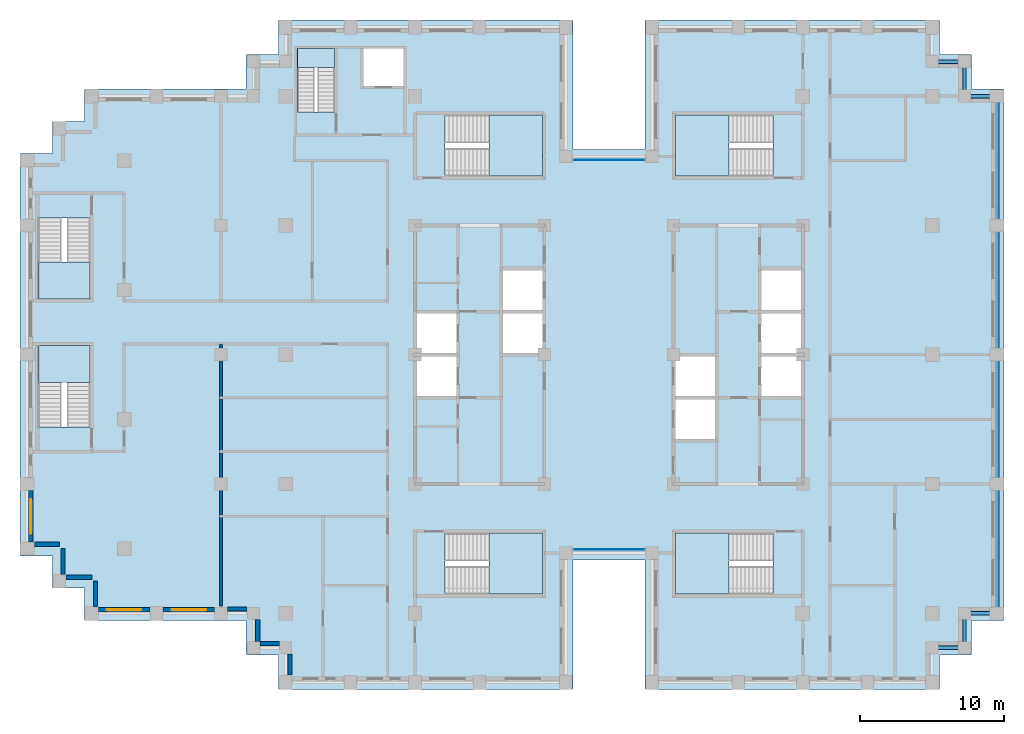
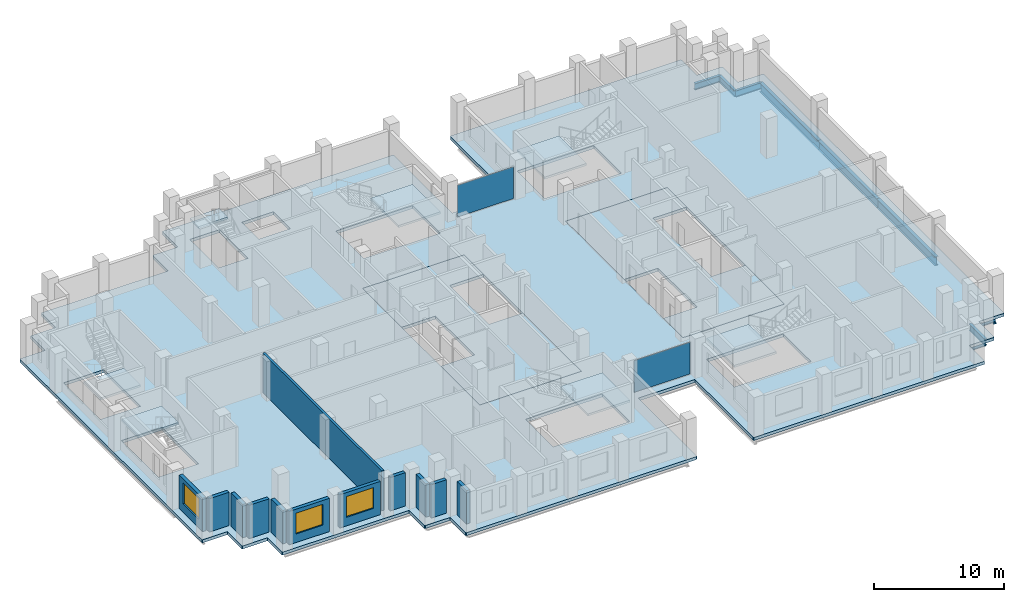
# One storey, part 5 of 15: 12 walls, 10 beams, 10 slabs, 3 windows, 2 plates, 3 openings, 9 elements without a shape of their own.
"""IFC4 building model written with IfcOpenShell, lengths in metres."""

from ifc_helpers import new_model, si_unit, direction, frame, frame_2d, origin, origin_2d, place, context, subcontext, project, spatial, polyline, rectangle, i_section, outline, extrude, material, layer, layer_set, material_profile, profile_set, type_object, element, fill, aggregate, save


model = new_model("IFC4")

# Units and contexts
model_context = context("Model", 3, precision=1e-05, world=origin(), true_north=direction((0.0, 1.0)))
body_context = subcontext(model_context, "Body", "Model", "MODEL_VIEW")
ifc_project = project(units=[si_unit("LENGTHUNIT", "METRE"), si_unit("AREAUNIT", "SQUARE_METRE"), si_unit("VOLUMEUNIT", "CUBIC_METRE"), si_unit("PLANEANGLEUNIT", "RADIAN"), si_unit("MASSUNIT", "GRAM", prefix="KILO")], contexts=[model_context])

# Site, building, storey
site_placement = place(None, origin())
site = spatial("IfcSite", under=ifc_project, at=site_placement, CompositionType="ELEMENT")
building_placement = place(site_placement, origin())
building = spatial("IfcBuilding", under=site, at=building_placement, Name="Corbelhall Arena Tower", CompositionType="ELEMENT")
storey_placement = place(building_placement, frame((0.0, 0.0, 208.0)))
storey = spatial("IfcBuildingStorey", under=building, at=storey_placement, Name="L43", CompositionType="ELEMENT", Elevation=208.0)

# Beams
ifc_material_1 = material(Name="Steel ASTM A992 Gr50", Category="steel")
ifc_material_profile_1 = material_profile(ifc_material_1, i_section(OverallWidth=0.228271484375, OverallDepth=0.607177734375, WebThickness=0.01123046875, FlangeThickness=0.017333984375, at=origin_2d()))
ifc_profile_set_1 = profile_set([ifc_material_profile_1], Name="Steel ASTM A992 Gr50")
beam_type_1 = type_object("IfcBeamType", Name="ST-SPANDREL-W24x76", PredefinedType="SPANDREL", material=ifc_profile_set_1)
for number, where, z_axis, x_axis, name in (
    (1, (27.0, -18.0, -0.58349609375), (-1.0, 0.0, 0.0), (0.0, -1.0, 0.0), "Beam SP 12"),
    (2, (22.5, 20.39990234375, -0.58349609375), (1.0, 0.0, 0.0), (0.0, 1.0, 0.0), "Beam SP 39"),
):
    element("IfcBeam", number, at=place(storey_placement, frame(where, z_axis=z_axis, x_axis=x_axis)), inside=storey, type_object=beam_type_1, Name=name, PredefinedType="SPANDREL", context=body_context, shape_type="SweptSolid", body=[
        extrude(i_section(OverallWidth=0.228271484375, OverallDepth=0.607177734375, WebThickness=0.01123046875, FlangeThickness=0.017333984375, at=origin_2d()), origin(), (0.0, 0.0, 1.0), 2.25),
    ])
beam_1_placement = place(storey_placement, frame((24.75, 20.39990234375, -0.58349609375), z_axis=(0.0, -1.0, 0.0), x_axis=(1.0, 0.0, 0.0)))
element("IfcBeam", 3, at=beam_1_placement, inside=storey, type_object=beam_type_1, Name="Beam SP 40", PredefinedType="SPANDREL", context=body_context, shape_type="SweptSolid", body=[
    extrude(i_section(OverallWidth=0.228271484375, OverallDepth=0.607177734375, WebThickness=0.01123046875, FlangeThickness=0.017333984375, at=origin_2d()), origin(), (0.0, 0.0, 1.0), 2.39990234375),
])
for number, where, z_axis, x_axis, name in (
    (4, (24.75, 18.0, -0.58349609375), (1.0, 0.0, 0.0), (0.0, 1.0, 0.0), "Beam SP 41"),
    (5, (24.75, -20.39990234375, -0.58349609375), (-1.0, 0.0, 0.0), (0.0, -1.0, 0.0), "Beam SP 46"),
):
    element("IfcBeam", number, at=place(storey_placement, frame(where, z_axis=z_axis, x_axis=x_axis)), inside=storey, type_object=beam_type_1, Name=name, PredefinedType="SPANDREL", context=body_context, shape_type="SweptSolid", body=[
        extrude(i_section(OverallWidth=0.228271484375, OverallDepth=0.607177734375, WebThickness=0.01123046875, FlangeThickness=0.017333984375, at=origin_2d()), origin(), (0.0, 0.0, 1.0), 2.25),
    ])
beam_2_placement = place(storey_placement, frame((24.75, -18.0, -0.58349609375), z_axis=(0.0, -1.0, 0.0), x_axis=(1.0, 0.0, 0.0)))
element("IfcBeam", 6, at=beam_2_placement, inside=storey, type_object=beam_type_1, Name="Beam SP 47", PredefinedType="SPANDREL", context=body_context, shape_type="SweptSolid", body=[
    extrude(i_section(OverallWidth=0.228271484375, OverallDepth=0.607177734375, WebThickness=0.01123046875, FlangeThickness=0.017333984375, at=origin_2d()), origin(), (0.0, 0.0, 1.0), 2.39990234375),
])
ifc_material_profile_2 = material_profile(ifc_material_1, i_section(OverallWidth=0.2919921875, OverallDepth=0.845703125, WebThickness=0.015380859375, FlangeThickness=0.0244140625, at=origin_2d()))
ifc_profile_set_2 = profile_set([ifc_material_profile_2], Name="Steel ASTM A992 Gr50")
beam_type_2 = type_object("IfcBeamType", Name="ST-SPANDREL-W33x141", PredefinedType="SPANDREL", material=ifc_profile_set_2)
for number, where, z_axis, x_axis, name in (
    (7, (27.0, 0.0, -0.702880859375), (0.0, -1.0, 0.0), (1.0, 0.0, 0.0), "Beam SP 8"),
    (8, (27.0, 9.0, -0.702880859375), (0.0, -1.0, 0.0), (1.0, 0.0, 0.0), "Beam SP 9"),
    (9, (27.0, 18.0, -0.702880859375), (0.0, -1.0, 0.0), (1.0, 0.0, 0.0), "Beam SP 10"),
    (10, (27.0, -9.0, -0.702880859375), (0.0, -1.0, 0.0), (1.0, 0.0, 0.0), "Beam SP 11"),
):
    element("IfcBeam", number, at=place(storey_placement, frame(where, z_axis=z_axis, x_axis=x_axis)), inside=storey, type_object=beam_type_2, Name=name, PredefinedType="SPANDREL", context=body_context, shape_type="SweptSolid", body=[
        extrude(i_section(OverallWidth=0.2919921875, OverallDepth=0.845703125, WebThickness=0.015380859375, FlangeThickness=0.0244140625, at=origin_2d()), origin(), (0.0, 0.0, 1.0), 9.0),
    ])

# Curtain wall, plate
ifc_material_2 = material(Name="Aluminium black anodised", Category="aluminium")
ifc_layer_1 = layer(ifc_material_2, 0.199951171875)
ifc_layer_set_1 = layer_set([ifc_layer_1], Name="EV-CW1 Slot back wall")
curtain_wall_type = type_object("IfcCurtainWallType", Name="EV-CW1 Slot back wall", PredefinedType="NOTDEFINED", material=ifc_layer_set_1)
curtain_wall_1_placement = place(storey_placement, origin())
curtain_wall_1 = element("IfcCurtainWall", 11, at=curtain_wall_1_placement, inside=storey, type_object=curtain_wall_type, Name="Curtain wall CW1", PredefinedType="NOTDEFINED")
ifc_material_3 = material(Name="Glass dark tinted laminated", Category="glass")
ifc_layer_2 = layer(ifc_material_3, 0.028076171875)
ifc_layer_set_2 = layer_set([ifc_layer_2], Name="EV-CW1-PANEL")
plate_type = type_object("IfcPlateType", Name="EV-CW1-PANEL", PredefinedType="CURTAIN_PANEL", material=ifc_layer_set_2)
plate_1_placement = place(storey_placement, frame((0.0, -13.550048828125, 0.0751953125), z_axis=(0.0, 0.0, 1.0), x_axis=(1.0, 0.0, 0.0)))
plate_1 = element("IfcPlate", 12, at=plate_1_placement, type_object=plate_type, Name="CW1 panel 1.1", PredefinedType="CURTAIN_PANEL", context=body_context, shape_type="SweptSolid", body=[
    extrude(rectangle(XDim=4.949951171875, YDim=0.028076171875, at=origin_2d()), origin(), (0.0, 0.0, 1.0), 2.969970703125),
])
aggregate(curtain_wall_1, [plate_1])

curtain_wall_2_placement = place(storey_placement, origin())
curtain_wall_2 = element("IfcCurtainWall", 13, at=curtain_wall_2_placement, inside=storey, type_object=curtain_wall_type, Name="Curtain wall CW1", PredefinedType="NOTDEFINED")
plate_2_placement = place(storey_placement, frame((0.0, 13.550048828125, 0.0751953125), z_axis=(0.0, 0.0, 1.0), x_axis=(-1.0, 0.0, 0.0)))
plate_2 = element("IfcPlate", 14, at=plate_2_placement, type_object=plate_type, Name="CW1 panel 1.1", PredefinedType="CURTAIN_PANEL", context=body_context, shape_type="SweptSolid", body=[
    extrude(rectangle(XDim=4.949951171875, YDim=0.028076171875, at=origin_2d()), origin(), (0.0, 0.0, 1.0), 2.969970703125),
])
aggregate(curtain_wall_2, [plate_2])

# Slabs
ifc_material_4 = material(Name="Concrete C40/50", Category="concrete")
ifc_layer_3 = layer(ifc_material_4, 0.300048828125)
ifc_layer_set_3 = layer_set([ifc_layer_3], Name="IN-SL-CORE")
slab_type_1 = type_object("IfcSlabType", Name="IN-SL-CORE", PredefinedType="FLOOR", material=ifc_layer_set_3)
slab_1_placement = place(storey_placement, frame((0.0, 0.0, -0.280029296875)))
element("IfcSlab", 15, at=slab_1_placement, inside=storey, type_object=slab_type_1, Name="Core floor W", PredefinedType="FLOOR", context=body_context, shape_type="SweptSolid", body=[
    extrude(outline(polyline([(-10.5, -3.0), (-13.5, -3.0), (-13.5, -9.0), (-4.5, -9.0), (-4.5, 0.0), (-7.5, 0.0), (-7.5, 3.0), (-7.5, 6.0), (-4.5, 6.0), (-4.5, 9.0), (-13.5, 9.0), (-13.5, 3.0), (-10.5, 3.0), (-10.5, 0.0), (-10.5, -3.0)])), origin(), (0.0, 0.0, 1.0), 0.280029296875),
])
slab_2_placement = place(storey_placement, frame((0.0, 0.0, -0.280029296875)))
element("IfcSlab", 16, at=slab_2_placement, inside=storey, type_object=slab_type_1, Name="Core floor E", PredefinedType="FLOOR", context=body_context, shape_type="SweptSolid", body=[
    extrude(outline(polyline([(13.5, -3.0), (10.5, -3.0), (10.5, 0.0), (10.5, 3.0), (10.5, 6.0), (13.5, 6.0), (13.5, 9.0), (4.5, 9.0), (4.5, 0.0), (7.5, 0.0), (7.5, -3.0), (7.5, -6.0), (4.5, -6.0), (4.5, -9.0), (13.5, -9.0), (13.5, -3.0)])), origin(), (0.0, 0.0, 1.0), 0.280029296875),
])

# Stair, slab
stair_type = type_object("IfcStairType", Name="IN-ST-TOWER", PredefinedType="HALF_TURN_STAIR", material=ifc_material_4)
stair_1_placement = place(storey_placement, origin())
stair_1 = element("IfcStair", 17, at=stair_1_placement, inside=storey, type_object=stair_type, Name="L43 Exit stair ST1", PredefinedType="HALF_TURN_STAIR")
ifc_layer_4 = layer(ifc_material_4, 0.199951171875)
ifc_layer_set_4 = layer_set([ifc_layer_4], Name="IN-SL-LANDING")
slab_type_2 = type_object("IfcSlabType", Name="IN-SL-LANDING", PredefinedType="LANDING", material=ifc_layer_set_4)
slab_3_placement = place(storey_placement, frame((0.0, 0.0, 1.800048828125)))
slab_3 = element("IfcSlab", 18, at=slab_3_placement, type_object=slab_type_2, Name="ST1 landing 1", PredefinedType="LANDING", context=body_context, shape_type="SweptSolid", body=[
    extrude(outline(polyline([(-8.344970703125, 12.425048828125), (-4.625, 12.425048828125), (-4.625, 16.675048828125), (-8.344970703125, 16.675048828125), (-8.344970703125, 12.425048828125)])), origin(), (0.0, 0.0, 1.0), 0.199951171875),
])
aggregate(stair_1, [slab_3])

stair_2_placement = place(storey_placement, origin())
stair_2 = element("IfcStair", 19, at=stair_2_placement, inside=storey, type_object=stair_type, Name="L43 Exit stair ST2", PredefinedType="HALF_TURN_STAIR")
slab_4_placement = place(storey_placement, frame((0.0, 0.0, 1.800048828125)))
slab_4 = element("IfcSlab", 20, at=slab_4_placement, type_object=slab_type_2, Name="ST2 landing 1", PredefinedType="LANDING", context=body_context, shape_type="SweptSolid", body=[
    extrude(outline(polyline([(-8.344970703125, -16.675048828125), (-4.625, -16.675048828125), (-4.625, -12.425048828125), (-8.344970703125, -12.425048828125), (-8.344970703125, -16.675048828125)])), origin(), (0.0, 0.0, 1.0), 0.199951171875),
])
aggregate(stair_2, [slab_4])

stair_3_placement = place(storey_placement, origin())
stair_3 = element("IfcStair", 21, at=stair_3_placement, inside=storey, type_object=stair_type, Name="L43 Exit stair ST3", PredefinedType="HALF_TURN_STAIR")
slab_5_placement = place(storey_placement, frame((0.0, 0.0, 1.800048828125)))
slab_5 = element("IfcSlab", 22, at=slab_5_placement, type_object=slab_type_2, Name="ST3 landing 1", PredefinedType="LANDING", context=body_context, shape_type="SweptSolid", body=[
    extrude(outline(polyline([(8.344970703125, 16.675048828125), (4.625, 16.675048828125), (4.625, 12.425048828125), (8.344970703125, 12.425048828125), (8.344970703125, 16.675048828125)])), origin(), (0.0, 0.0, 1.0), 0.199951171875),
])
aggregate(stair_3, [slab_5])

stair_4_placement = place(storey_placement, origin())
stair_4 = element("IfcStair", 23, at=stair_4_placement, inside=storey, type_object=stair_type, Name="L43 Exit stair ST4", PredefinedType="HALF_TURN_STAIR")
slab_6_placement = place(storey_placement, frame((0.0, 0.0, 1.800048828125)))
slab_6 = element("IfcSlab", 24, at=slab_6_placement, type_object=slab_type_2, Name="ST4 landing 1", PredefinedType="LANDING", context=body_context, shape_type="SweptSolid", body=[
    extrude(outline(polyline([(8.344970703125, -12.425048828125), (4.625, -12.425048828125), (4.625, -16.675048828125), (8.344970703125, -16.675048828125), (8.344970703125, -12.425048828125)])), origin(), (0.0, 0.0, 1.0), 0.199951171875),
])
aggregate(stair_4, [slab_6])

stair_5_placement = place(storey_placement, origin())
stair_5 = element("IfcStair", 25, at=stair_5_placement, inside=storey, type_object=stair_type, Name="L43 Exit stair SC1", PredefinedType="HALF_TURN_STAIR")
slab_7_placement = place(storey_placement, frame((0.0, 0.0, 1.800048828125)))
slab_7 = element("IfcSlab", 26, at=slab_7_placement, type_object=slab_type_2, Name="SC1 landing 1", PredefinedType="LANDING", context=body_context, shape_type="SweptSolid", body=[
    extrude(outline(polyline([(-39.699951171875, 6.445068359375), (-39.699951171875, 3.875), (-36.125, 3.875), (-36.125, 6.445068359375), (-39.699951171875, 6.445068359375)])), origin(), (0.0, 0.0, 1.0), 0.199951171875),
])
aggregate(stair_5, [slab_7])

stair_6_placement = place(storey_placement, origin())
stair_6 = element("IfcStair", 27, at=stair_6_placement, inside=storey, type_object=stair_type, Name="L43 Exit stair SC2", PredefinedType="HALF_TURN_STAIR")
slab_8_placement = place(storey_placement, frame((0.0, 0.0, 1.800048828125)))
slab_8 = element("IfcSlab", 28, at=slab_8_placement, type_object=slab_type_2, Name="SC2 landing 1", PredefinedType="LANDING", context=body_context, shape_type="SweptSolid", body=[
    extrude(outline(polyline([(-36.125, -1.945068359375), (-36.125, 0.625), (-39.699951171875, 0.625), (-39.699951171875, -1.945068359375), (-36.125, -1.945068359375)])), origin(), (0.0, 0.0, 1.0), 0.199951171875),
])
aggregate(stair_6, [slab_8])

stair_7_placement = place(storey_placement, origin())
stair_7 = element("IfcStair", 29, at=stair_7_placement, inside=storey, type_object=stair_type, Name="L43 Exit stair ST5", PredefinedType="HALF_TURN_STAIR")
slab_9_placement = place(storey_placement, frame((0.0, 0.0, 1.800048828125)))
slab_9 = element("IfcSlab", 30, at=slab_9_placement, type_object=slab_type_2, Name="ST5 landing 1", PredefinedType="LANDING", context=body_context, shape_type="SweptSolid", body=[
    extrude(outline(polyline([(-19.094970703125, 19.97998046875), (-19.094970703125, 21.300048828125), (-21.695068359375, 21.300048828125), (-21.695068359375, 19.97998046875), (-19.094970703125, 19.97998046875)])), origin(), (0.0, 0.0, 1.0), 0.199951171875),
])
aggregate(stair_7, [slab_9])

# Slab
ifc_layer_5 = layer(ifc_material_4, 0.280029296875)
ifc_layer_set_5 = layer_set([ifc_layer_5], Name="ST-SLAB-FLOOR-280")
slab_type_3 = type_object("IfcSlabType", Name="ST-SLAB-FLOOR-280", PredefinedType="FLOOR", material=ifc_layer_set_5)
slab_10_placement = place(storey_placement, frame((0.0, 0.0, -0.280029296875)))
element("IfcSlab", 31, at=slab_10_placement, inside=storey, type_object=slab_type_3, Name="Floor slab L43 1", PredefinedType="FLOOR", context=body_context, shape_type="SweptSolid", body=[
    extrude(outline(polyline([(23.0, 23.25), (22.949951171875, 23.300048828125), (2.550048828125, 23.300048828125), (2.5, 23.25), (2.5, 14.300048828125), (-2.5, 14.300048828125), (-2.5, 23.25), (-2.550048828125, 23.300048828125), (-22.949951171875, 23.300048828125), (-23.0, 23.25), (-23.0, 20.89990234375), (-25.199951171875, 20.89990234375), (-25.25, 20.85009765625), (-25.25, 18.5), (-36.449951171875, 18.5), (-36.5, 18.449951171875), (-36.5, 16.25), (-38.699951171875, 16.25), (-38.75, 16.199951171875), (-38.75, 14.0), (-40.949951171875, 14.0), (-41.0, 13.949951171875), (-41.0, -13.949951171875), (-40.949951171875, -14.0), (-38.75, -14.0), (-38.75, -16.199951171875), (-38.699951171875, -16.25), (-36.5, -16.25), (-36.5, -18.449951171875), (-36.449951171875, -18.5), (-25.25, -18.5), (-25.25, -20.85009765625), (-25.199951171875, -20.89990234375), (-23.0, -20.89990234375), (-23.0, -23.25), (-22.949951171875, -23.300048828125), (-2.550048828125, -23.300048828125), (-2.5, -23.25), (-2.5, -14.300048828125), (2.5, -14.300048828125), (2.5, -23.25), (2.550048828125, -23.300048828125), (22.949951171875, -23.300048828125), (23.0, -23.25), (23.0, -20.89990234375), (25.199951171875, -20.89990234375), (25.25, -20.85009765625), (25.25, -18.5), (27.449951171875, -18.5), (27.5, -18.449951171875), (27.5, 18.449951171875), (27.449951171875, 18.5), (25.25, 18.5), (25.25, 20.85009765625), (25.199951171875, 20.89990234375), (23.0, 20.89990234375), (23.0, 23.25)]), holes=[polyline([(-4.5, -9.0), (-4.5, 9.0), (-13.5, 9.0), (-13.5, -9.0), (-4.5, -9.0)]), polyline([(13.5, -9.0), (13.5, 9.0), (4.5, 9.0), (4.5, -9.0), (13.5, -9.0)]), polyline([(-11.422119140625, 12.425048828125), (-4.625, 12.425048828125), (-4.625, 16.675048828125), (-11.422119140625, 16.675048828125), (-11.422119140625, 12.425048828125)]), polyline([(-11.422119140625, -12.425048828125), (-11.422119140625, -16.675048828125), (-4.625, -16.675048828125), (-4.625, -12.425048828125), (-11.422119140625, -12.425048828125)]), polyline([(4.625, 12.425048828125), (11.422119140625, 12.425048828125), (11.422119140625, 16.675048828125), (4.625, 16.675048828125), (4.625, 12.425048828125)]), polyline([(4.625, -12.425048828125), (4.625, -16.675048828125), (11.422119140625, -16.675048828125), (11.422119140625, -12.425048828125), (4.625, -12.425048828125)]), polyline([(-39.699951171875, 9.52197265625), (-39.699951171875, 3.875), (-36.125, 3.875), (-36.125, 9.52197265625), (-39.699951171875, 9.52197265625)]), polyline([(-39.699951171875, -5.02197265625), (-36.125, -5.02197265625), (-36.125, 0.625), (-39.699951171875, 0.625), (-39.699951171875, -5.02197265625)]), polyline([(-21.695068359375, 21.300048828125), (-21.695068359375, 16.903076171875), (-19.094970703125, 16.903076171875), (-19.094970703125, 21.300048828125), (-21.695068359375, 21.300048828125)]), polyline([(-14.300048828125, 21.300048828125), (-17.10009765625, 21.300048828125), (-17.10009765625, 18.699951171875), (-14.300048828125, 18.699951171875), (-14.300048828125, 21.300048828125)])]), origin(), (0.0, 0.0, 1.0), 0.280029296875),
])

# Walls
ifc_material_5 = material(Name="Precast concrete C40/50 with granite facing", Category="masonry")
ifc_layer_6 = layer(ifc_material_5, 0.300048828125)
ifc_layer_set_6 = layer_set([ifc_layer_6], Name="EV-IW1 Infill panel 300")
wall_type_1 = type_object("IfcWallType", Name="EV-IW1 Infill panel 300", PredefinedType="SOLIDWALL", material=ifc_layer_set_6)
wall_1_placement = place(storey_placement, frame((-40.0, -13.199951171875, 0.0), z_axis=(0.0, 0.0, 1.0), x_axis=(1.0, 0.0, 0.0)))
element("IfcWall", 32, at=wall_1_placement, inside=storey, type_object=wall_type_1, Name="Infill panel IW1", PredefinedType="SOLIDWALL", context=body_context, shape_type="SweptSolid", body=[
    extrude(rectangle(XDim=1.75, YDim=0.300048828125, at=frame_2d((0.875, 0.0))), origin(), (0.0, 0.0, 1.0), 3.1201171875),
])
for number, where, z_axis, x_axis, name in (
    (33, (-38.0, -15.300048828125, 0.0), (0.0, 0.0, 1.0), (0.0, 1.0, 0.0), "Infill panel IW1"),
    (34, (-37.800048828125, -15.5, 0.0), (0.0, 0.0, 1.0), (1.0, 0.0, 0.0), "Infill panel IW1"),
    (35, (-35.75, -17.550048828125, 0.0), (0.0, 0.0, 1.0), (0.0, 1.0, 0.0), "Infill panel IW1"),
):
    element("IfcWall", number, at=place(storey_placement, frame(where, z_axis=z_axis, x_axis=x_axis)), inside=storey, type_object=wall_type_1, Name=name, PredefinedType="SOLIDWALL", context=body_context, shape_type="SweptSolid", body=[
        extrude(rectangle(XDim=1.800048828125, YDim=0.300048828125, at=frame_2d((0.89990234375, 0.0))), origin(), (0.0, 0.0, 1.0), 3.1201171875),
    ])

# Wall, opening, window
wall_2_placement = place(storey_placement, frame((-40.25, -9.449951171875, 0.0), z_axis=(0.0, 0.0, 1.0), x_axis=(0.0, -1.0, 0.0)))
wall_2 = element("IfcWall", 36, at=wall_2_placement, inside=storey, type_object=wall_type_1, Name="Infill panel IW1", PredefinedType="SOLIDWALL", context=body_context, shape_type="SweptSolid", body=[
    extrude(rectangle(XDim=3.60009765625, YDim=0.300048828125, at=frame_2d((1.800048828125, 0.0))), origin(), (0.0, 0.0, 1.0), 3.1201171875),
])
opening_1_placement = place(wall_2_placement, frame((0.60009765625, 0.0, 0.800048828125)))
opening_1 = element("IfcOpeningElement", 37, at=opening_1_placement, cuts=wall_2, Name="Opening WN1", PredefinedType="OPENING", context=body_context, shape_type="SweptSolid", body=[
    extrude(rectangle(XDim=2.39990234375, YDim=1.949951171875, at=frame_2d((1.199951171875, 0.97509765625))), frame((0.0, 0.14990234375, 0.0), z_axis=(0.0, -1.0, 0.0), x_axis=(1.0, 0.0, 0.0)), (0.0, 0.0, 1.0), 0.300048828125),
])
window_type = type_object("IfcWindowType", Name="EV-WN1 Office window", PartitioningType="SINGLE_PANEL", PredefinedType="WINDOW", material=ifc_material_2)
window_1_placement = place(opening_1_placement, origin())
window_1 = element("IfcWindow", 38, at=window_1_placement, inside=storey, type_object=window_type, Name="Window WN1", OverallHeight=1.949951171875, OverallWidth=2.39990234375, PartitioningType="SINGLE_PANEL", PredefinedType="WINDOW", context=body_context, shape_type="SweptSolid", body=[
    extrude(rectangle(XDim=2.39990234375, YDim=1.949951171875, at=frame_2d((1.199951171875, 0.97509765625))), frame((0.0, 0.030029296875, 0.0), z_axis=(0.0, -1.0, 0.0), x_axis=(1.0, 0.0, 0.0)), (0.0, 0.0, 1.0), 0.06005859375),
])
fill(opening_1, window_1)

wall_3_placement = place(storey_placement, frame((-35.550048828125, -17.75, 0.0), z_axis=(0.0, 0.0, 1.0), x_axis=(1.0, 0.0, 0.0)))
wall_3 = element("IfcWall", 39, at=wall_3_placement, inside=storey, type_object=wall_type_1, Name="Infill panel IW1", PredefinedType="SOLIDWALL", context=body_context, shape_type="SweptSolid", body=[
    extrude(rectangle(XDim=3.60009765625, YDim=0.300048828125, at=frame_2d((1.800048828125, 0.0))), origin(), (0.0, 0.0, 1.0), 3.1201171875),
])
opening_2_placement = place(wall_3_placement, frame((0.60009765625, 0.0, 0.800048828125)))
opening_2 = element("IfcOpeningElement", 40, at=opening_2_placement, cuts=wall_3, Name="Opening WN1", PredefinedType="OPENING", context=body_context, shape_type="SweptSolid", body=[
    extrude(rectangle(XDim=2.39990234375, YDim=1.949951171875, at=frame_2d((1.199951171875, 0.97509765625))), frame((0.0, 0.14990234375, 0.0), z_axis=(0.0, -1.0, 0.0), x_axis=(1.0, 0.0, 0.0)), (0.0, 0.0, 1.0), 0.300048828125),
])
window_2_placement = place(opening_2_placement, origin())
window_2 = element("IfcWindow", 41, at=window_2_placement, inside=storey, type_object=window_type, Name="Window WN1", OverallHeight=1.949951171875, OverallWidth=2.39990234375, PartitioningType="SINGLE_PANEL", PredefinedType="WINDOW", context=body_context, shape_type="SweptSolid", body=[
    extrude(rectangle(XDim=2.39990234375, YDim=1.949951171875, at=frame_2d((1.199951171875, 0.97509765625))), frame((0.0, 0.030029296875, 0.0), z_axis=(0.0, -1.0, 0.0), x_axis=(1.0, 0.0, 0.0)), (0.0, 0.0, 1.0), 0.06005859375),
])
fill(opening_2, window_2)

wall_4_placement = place(storey_placement, frame((-31.050048828125, -17.75, 0.0), z_axis=(0.0, 0.0, 1.0), x_axis=(1.0, 0.0, 0.0)))
wall_4 = element("IfcWall", 42, at=wall_4_placement, inside=storey, type_object=wall_type_1, Name="Infill panel IW1", PredefinedType="SOLIDWALL", context=body_context, shape_type="SweptSolid", body=[
    extrude(rectangle(XDim=3.60009765625, YDim=0.300048828125, at=frame_2d((1.800048828125, 0.0))), origin(), (0.0, 0.0, 1.0), 3.1201171875),
])
opening_3_placement = place(wall_4_placement, frame((0.60009765625, 0.0, 0.800048828125)))
opening_3 = element("IfcOpeningElement", 43, at=opening_3_placement, cuts=wall_4, Name="Opening WN1", PredefinedType="OPENING", context=body_context, shape_type="SweptSolid", body=[
    extrude(rectangle(XDim=2.39990234375, YDim=1.949951171875, at=frame_2d((1.199951171875, 0.97509765625))), frame((0.0, 0.14990234375, 0.0), z_axis=(0.0, -1.0, 0.0), x_axis=(1.0, 0.0, 0.0)), (0.0, 0.0, 1.0), 0.300048828125),
])
window_3_placement = place(opening_3_placement, origin())
window_3 = element("IfcWindow", 44, at=window_3_placement, inside=storey, type_object=window_type, Name="Window WN1", OverallHeight=1.949951171875, OverallWidth=2.39990234375, PartitioningType="SINGLE_PANEL", PredefinedType="WINDOW", context=body_context, shape_type="SweptSolid", body=[
    extrude(rectangle(XDim=2.39990234375, YDim=1.949951171875, at=frame_2d((1.199951171875, 0.97509765625))), frame((0.0, 0.030029296875, 0.0), z_axis=(0.0, -1.0, 0.0), x_axis=(1.0, 0.0, 0.0)), (0.0, 0.0, 1.0), 0.06005859375),
])
fill(opening_3, window_3)

# Walls
wall_5_placement = place(storey_placement, frame((-26.550048828125, -17.699951171875, 0.0), z_axis=(0.0, 0.0, 1.0), x_axis=(1.0, 0.0, 0.0)))
element("IfcWall", 45, at=wall_5_placement, inside=storey, type_object=wall_type_1, Name="Infill panel IW1", PredefinedType="SOLIDWALL", context=body_context, shape_type="SweptSolid", body=[
    extrude(rectangle(XDim=1.35009765625, YDim=0.300048828125, at=frame_2d((0.675048828125, 0.0))), origin(), (0.0, 0.0, 1.0), 3.1201171875),
])
wall_6_placement = place(storey_placement, frame((-24.449951171875, -18.449951171875, 0.0), z_axis=(0.0, 0.0, 1.0), x_axis=(0.0, -1.0, 0.0)))
element("IfcWall", 46, at=wall_6_placement, inside=storey, type_object=wall_type_1, Name="Infill panel IW1", PredefinedType="SOLIDWALL", context=body_context, shape_type="SweptSolid", body=[
    extrude(rectangle(XDim=1.5, YDim=0.300048828125, at=frame_2d((0.75, 0.0))), origin(), (0.0, 0.0, 1.0), 3.1201171875),
])
wall_7_placement = place(storey_placement, frame((-24.300048828125, -20.10009765625, 0.0), z_axis=(0.0, 0.0, 1.0), x_axis=(1.0, 0.0, 0.0)))
element("IfcWall", 47, at=wall_7_placement, inside=storey, type_object=wall_type_1, Name="Infill panel IW1", PredefinedType="SOLIDWALL", context=body_context, shape_type="SweptSolid", body=[
    extrude(rectangle(XDim=1.35009765625, YDim=0.300048828125, at=frame_2d((0.675048828125, 0.0))), origin(), (0.0, 0.0, 1.0), 3.1201171875),
])
wall_8_placement = place(storey_placement, frame((-22.199951171875, -20.85009765625, 0.0), z_axis=(0.0, 0.0, 1.0), x_axis=(0.0, -1.0, 0.0)))
element("IfcWall", 48, at=wall_8_placement, inside=storey, type_object=wall_type_1, Name="Infill panel IW1", PredefinedType="SOLIDWALL", context=body_context, shape_type="SweptSolid", body=[
    extrude(rectangle(XDim=1.449951171875, YDim=0.300048828125, at=frame_2d((0.72509765625, 0.0))), origin(), (0.0, 0.0, 1.0), 3.1201171875),
])
ifc_material_6 = material(Name="Gypsum board on steel stud, acoustic", Category="steel")
ifc_layer_7 = layer(ifc_material_6, 0.199951171875)
ifc_layer_set_7 = layer_set([ifc_layer_7], Name="IN-W-DM200")
wall_type_2 = type_object("IfcWallType", Name="IN-W-DM200", PredefinedType="PARTITIONING", material=ifc_layer_set_7)
wall_9_placement = place(storey_placement, frame((-27.0, -17.5, 0.0), z_axis=(0.0, 0.0, 1.0), x_axis=(0.0, 1.0, 0.0)))
element("IfcWall", 49, at=wall_9_placement, inside=storey, type_object=wall_type_2, Name="Partition 009", PredefinedType="PARTITIONING", context=body_context, shape_type="SweptSolid", body=[
    extrude(rectangle(XDim=18.25, YDim=0.199951171875, at=frame_2d((9.125, 0.0))), origin(), (0.0, 0.0, 1.0), 3.719970703125),
])

save(model, "model.ifc")
